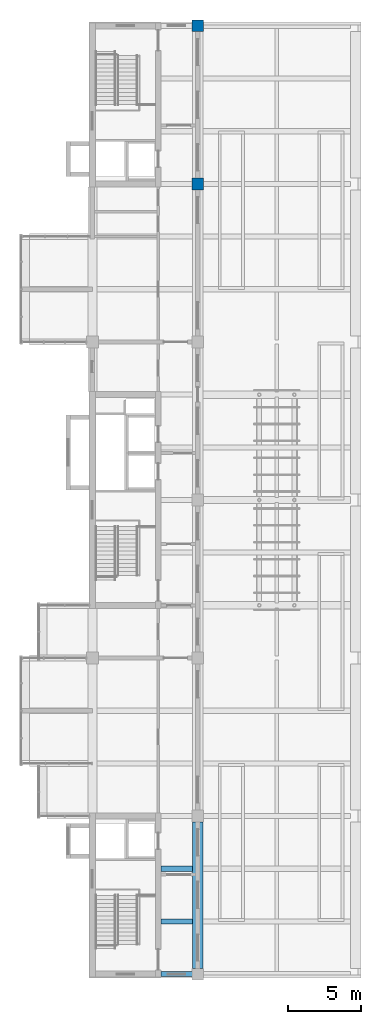
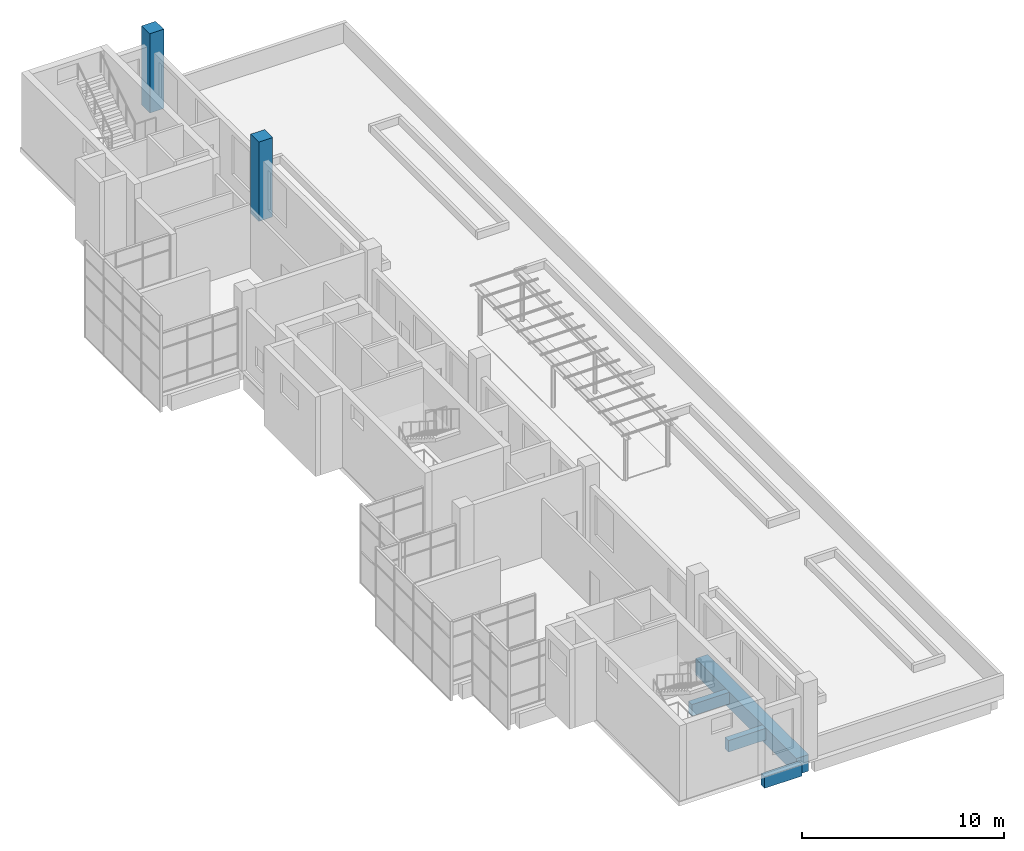
# One storey, part 3 of 16: 4 beams, 2 columns.
"""IFC4 building model written with IfcOpenShell, lengths in metres."""

from ifc_helpers import new_model, si_unit, direction, frame, origin, origin_2d, place, context, subcontext, project, spatial, rectangle, extrude, material, material_profile, profile_set, type_object, element, save


model = new_model("IFC4")

# Units and contexts
model_context = context("Model", 3, precision=1e-05, world=origin(), true_north=direction((0.0, 1.0)))
body_context = subcontext(model_context, "Body", "Model", "MODEL_VIEW")
ifc_project = project(units=[si_unit("LENGTHUNIT", "METRE"), si_unit("AREAUNIT", "SQUARE_METRE"), si_unit("VOLUMEUNIT", "CUBIC_METRE"), si_unit("PLANEANGLEUNIT", "RADIAN"), si_unit("MASSUNIT", "GRAM", prefix="KILO")], contexts=[model_context])

# Site, building, storey
site_placement = place(None, origin())
site = spatial("IfcSite", under=ifc_project, at=site_placement, CompositionType="ELEMENT")
building_placement = place(site_placement, origin())
building = spatial("IfcBuilding", under=site, at=building_placement, Name="Basin Gate Institute", CompositionType="ELEMENT")
storey_placement = place(building_placement, frame((0.0, 0.0, 65.39990234375)))
storey = spatial("IfcBuildingStorey", under=building, at=storey_placement, Name="L13", CompositionType="ELEMENT", Elevation=65.39990234375)

# Columns
ifc_material_1 = material(Name="Concrete 50 MPa", Category="concrete")
ifc_material_profile_1 = material_profile(ifc_material_1, rectangle(XDim=0.800048828125, YDim=0.800048828125, at=origin_2d()), Name="Column C4 800 x 800")
ifc_profile_set_1 = profile_set([ifc_material_profile_1], Name="Concrete 50 MPa")
column_type = type_object("IfcColumnType", Name="Column C4 R120", PredefinedType="COLUMN", material=ifc_profile_set_1)
for number, where, z_axis, x_axis, name in (
    (1, (68.39990234375, 89.10009765625, 0.0), (0.0, 0.0, 1.0), (1.0, 0.0, 0.0), "COL/L13/5F"),
    (2, (68.39990234375, 99.89990234375, 0.0), (0.0, 0.0, 1.0), (1.0, 0.0, 0.0), "COL/L13/5G"),
):
    element("IfcColumn", number, at=place(storey_placement, frame(where, z_axis=z_axis, x_axis=x_axis)), inside=storey, type_object=column_type, material=ifc_profile_set_1, Name=name, PredefinedType="COLUMN", context=body_context, shape_type="SweptSolid", body=[
        extrude(rectangle(XDim=0.800048828125, YDim=0.800048828125, at=origin_2d()), origin(), (0.0, 0.0, 1.0), 4.800048828125),
    ])

# Beams
ifc_material_2 = material(Name="Concrete 40 MPa", Category="concrete")
ifc_material_profile_2 = material_profile(ifc_material_2, rectangle(XDim=0.35009765625, YDim=0.699951171875, at=origin_2d()), Name="Beam B1 350 x 700")
ifc_profile_set_2 = profile_set([ifc_material_profile_2], Name="Concrete 40 MPa")
beam_type_1 = type_object("IfcBeamType", Name="Beam B1 R120", PredefinedType="BEAM", material=ifc_profile_set_2)
for number, where, z_axis, x_axis, name in (
    (3, (65.89990234375, 35.10009765625, -0.599853515625), (1.0, 0.0, 0.0), (0.0, 1.0, 0.0), "BEAM/L13/W/CORR/01"),
    (4, (65.89990234375, 38.699951171875, -0.599853515625), (1.0, 0.0, 0.0), (0.0, 1.0, 0.0), "BEAM/L13/W/CORR/02"),
    (5, (65.89990234375, 42.300048828125, -0.599853515625), (1.0, 0.0, 0.0), (0.0, 1.0, 0.0), "BEAM/L13/W/CORR/03"),
):
    element("IfcBeam", number, at=place(storey_placement, frame(where, z_axis=z_axis, x_axis=x_axis)), inside=storey, type_object=beam_type_1, material=ifc_profile_set_2, Name=name, PredefinedType="BEAM", context=body_context, shape_type="SweptSolid", body=[
        extrude(rectangle(XDim=0.35009765625, YDim=0.699951171875, at=origin_2d()), origin(), (0.0, 0.0, 1.0), 2.150146484375),
    ])
ifc_material_3 = material(Name="Concrete 50 MPa", Category="concrete")
ifc_material_profile_3 = material_profile(ifc_material_3, rectangle(XDim=0.699951171875, YDim=1.0, at=origin_2d()), Name="Girder G1 700 x 1000")
ifc_profile_set_3 = profile_set([ifc_material_profile_3], Name="Concrete 50 MPa")
beam_type_2 = type_object("IfcBeamType", Name="Girder G1 R120", PredefinedType="BEAM", material=ifc_profile_set_3)
beam_placement = place(storey_placement, frame((68.39990234375, 35.5, -0.75), z_axis=(0.0, 1.0, 0.0), x_axis=(-1.0, 0.0, 0.0)))
element("IfcBeam", 6, at=beam_placement, inside=storey, type_object=beam_type_2, material=ifc_profile_set_3, Name="GIR/L13/W5/1", PredefinedType="BEAM", context=body_context, shape_type="SweptSolid", body=[
    extrude(rectangle(XDim=0.699951171875, YDim=1.0, at=origin_2d()), origin(), (0.0, 0.0, 1.0), 10.0),
])

save(model, "model.ifc")
